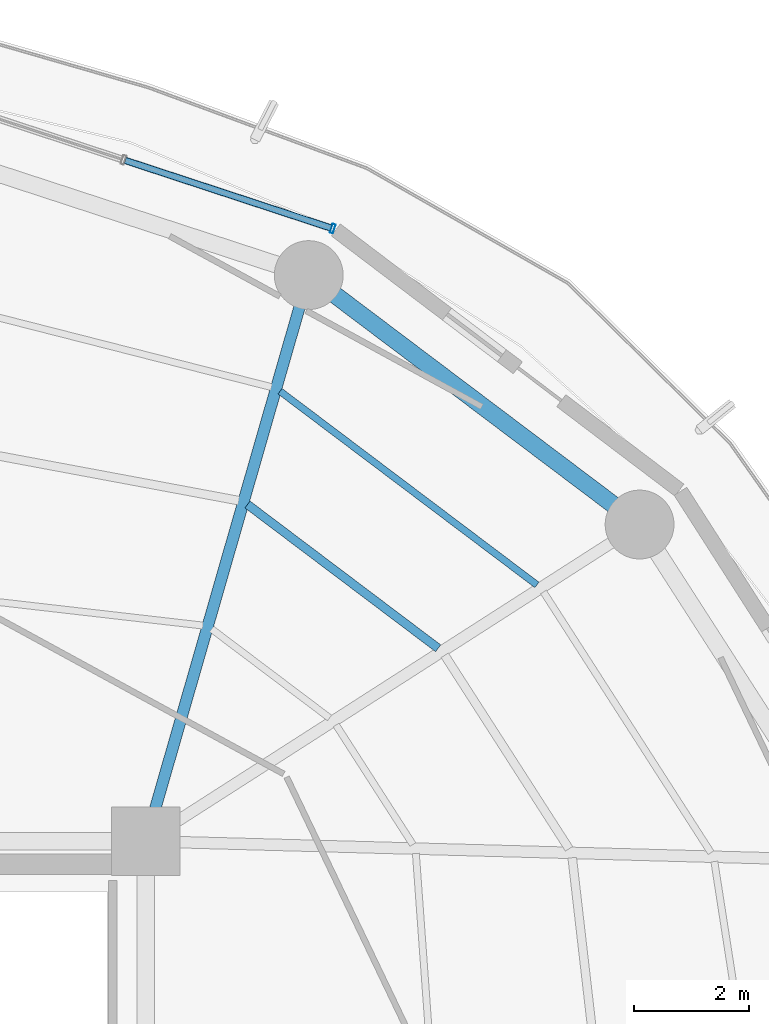
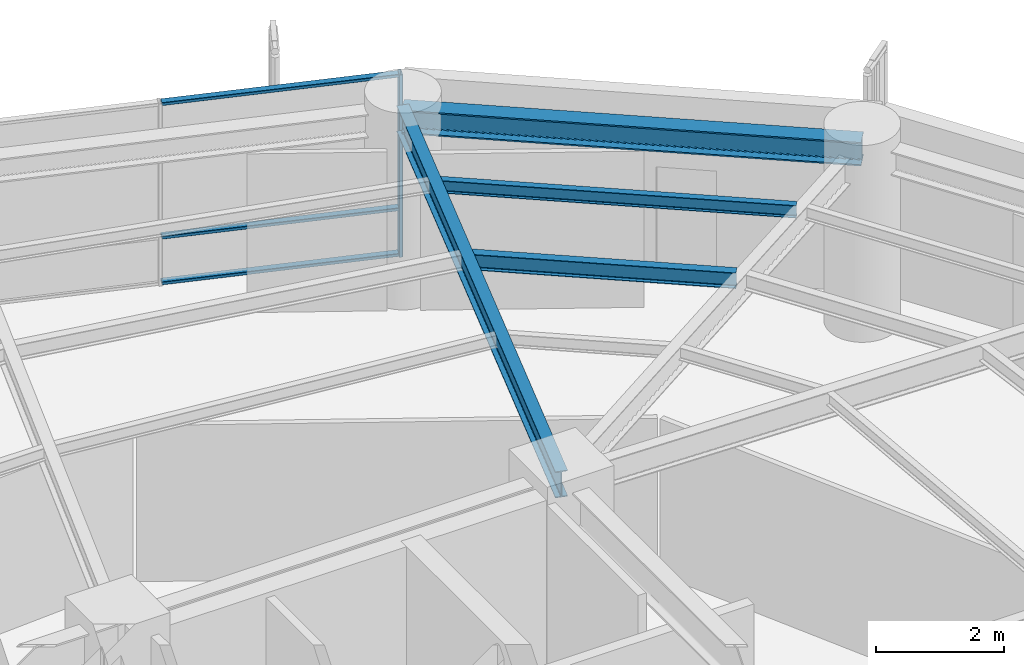
# One storey, part 19 of 27: 4 beams, 4 members, 1 element without a shape of its own.
"""IFC4 building model written with IfcOpenShell, lengths in metres."""

from ifc_helpers import new_model, si_unit, direction, frame, origin, origin_2d, place, context, subcontext, project, spatial, hollow_rectangle, i_section, extrude, material, layer, layer_set, material_profile, profile_set, type_object, element, aggregate, save


model = new_model("IFC4")

# Units and contexts
model_context = context("Model", 3, precision=1e-05, world=origin(), true_north=direction((0.0, 1.0)))
body_context = subcontext(model_context, "Body", "Model", "MODEL_VIEW")
ifc_project = project(units=[si_unit("LENGTHUNIT", "METRE"), si_unit("AREAUNIT", "SQUARE_METRE"), si_unit("VOLUMEUNIT", "CUBIC_METRE"), si_unit("PLANEANGLEUNIT", "RADIAN"), si_unit("MASSUNIT", "GRAM", prefix="KILO")], contexts=[model_context])

# Site, building, storey
site_placement = place(None, origin())
site = spatial("IfcSite", under=ifc_project, at=site_placement, CompositionType="ELEMENT")
building_placement = place(site_placement, origin())
building = spatial("IfcBuilding", under=site, at=building_placement, Name="Kelanora Arch Commons", CompositionType="ELEMENT")
storey_placement = place(building_placement, frame((0.0, 0.0, 143.10009765625)))
storey = spatial("IfcBuildingStorey", under=building, at=storey_placement, Name="L36", CompositionType="ELEMENT", Elevation=143.10009765625)

# Beams
ifc_material_1 = material(Name="Steel S355", Category="steel")
ifc_material_profile_1 = material_profile(ifc_material_1, i_section(OverallWidth=0.14990234375, OverallDepth=0.300048828125, WebThickness=0.007080078125, FlangeThickness=0.0107421875, FilletRadius=0.014892578125, at=origin_2d()), Name="IPE300")
ifc_profile_set_1 = profile_set([ifc_material_profile_1], Name="Steel S355")
beam_type_1 = type_object("IfcBeamType", Name="BM-JST-01", PredefinedType="JOIST", material=ifc_profile_set_1)
beam_1_placement = place(storey_placement, frame((87.0966796875, 68.364013671875, 3.33984375), z_axis=(-0.798463547891, 0.602043156833, 0.0), x_axis=(-0.602043156833, -0.798463547891, 0.0)))
element("IfcBeam", 1, at=beam_1_placement, inside=storey, type_object=beam_type_1, Name="Secondary Chord Joist BJB-04 L36", PredefinedType="JOIST", context=body_context, shape_type="SweptSolid", body=[
    extrude(i_section(OverallWidth=0.14990234375, OverallDepth=0.300048828125, WebThickness=0.007080078125, FlangeThickness=0.0107421875, FilletRadius=0.014892578125, at=origin_2d()), origin(), (0.0, 0.0, 1.0), 4.163818359375),
])
ifc_material_profile_2 = material_profile(ifc_material_1, i_section(OverallWidth=0.1201171875, OverallDepth=0.239990234375, WebThickness=0.006103515625, FlangeThickness=0.009765625, FilletRadius=0.014892578125, at=origin_2d()), Name="IPE240")
ifc_profile_set_2 = profile_set([ifc_material_profile_2], Name="Steel S355")
beam_type_2 = type_object("IfcBeamType", Name="BM-JST-02", PredefinedType="JOIST", material=ifc_profile_set_2)
beam_2_placement = place(storey_placement, frame((88.818359375, 69.468505859375, 3.369873046875), z_axis=(-0.798493128577, 0.602003923256, 0.0), x_axis=(-0.602003923256, -0.798493128577, 0.0)))
element("IfcBeam", 2, at=beam_2_placement, inside=storey, type_object=beam_type_2, Name="Secondary Chord Joist BJC-04 L36", PredefinedType="JOIST", context=body_context, shape_type="SweptSolid", body=[
    extrude(i_section(OverallWidth=0.1201171875, OverallDepth=0.239990234375, WebThickness=0.006103515625, FlangeThickness=0.009765625, FilletRadius=0.014892578125, at=origin_2d()), origin(), (0.0, 0.0, 1.0), 5.608642578125),
])
ifc_material_profile_3 = material_profile(ifc_material_1, i_section(OverallWidth=0.199951171875, OverallDepth=0.5, WebThickness=0.01025390625, FlangeThickness=0.01611328125, FilletRadius=0.02099609375, at=origin_2d()), Name="IPE500")
ifc_profile_set_3 = profile_set([ifc_material_profile_3], Name="Steel S355")
beam_type_3 = type_object("IfcBeamType", Name="BM-RAD-Z3", PredefinedType="BEAM", material=ifc_profile_set_3)
beam_3_placement = place(storey_placement, frame((82.0, 65.0, 3.239990234375), z_axis=(0.276525880065, 0.961006471182, 0.0), x_axis=(-0.961006471182, 0.276525880065, 0.0)))
element("IfcBeam", 3, at=beam_3_placement, inside=storey, type_object=beam_type_3, Name="Radial Floor Girder BR-06 L36", PredefinedType="BEAM", context=body_context, shape_type="SweptSolid", body=[
    extrude(i_section(OverallWidth=0.199951171875, OverallDepth=0.5, WebThickness=0.01025390625, FlangeThickness=0.01611328125, FilletRadius=0.02099609375, at=origin_2d()), origin(), (0.0, 0.0, 1.0), 10.2705078125),
])
ifc_material_profile_4 = material_profile(ifc_material_1, i_section(OverallWidth=0.300048828125, OverallDepth=0.449951171875, WebThickness=0.013916015625, FlangeThickness=0.02587890625, FilletRadius=0.027099609375, at=origin_2d()), Name="HEB450")
ifc_profile_set_4 = profile_set([ifc_material_profile_4], Name="Steel S355")
beam_type_4 = type_object("IfcBeamType", Name="BM-SPN-Z3", PredefinedType="SPANDREL", material=ifc_profile_set_4)
beam_4_placement = place(storey_placement, frame((90.60791015625, 70.521484375, 3.264892578125), z_axis=(-0.798484645564, 0.60201517489, 0.0), x_axis=(-0.60201517489, -0.798484645564, 0.0)))
element("IfcBeam", 4, at=beam_4_placement, inside=storey, type_object=beam_type_4, Name="Perimeter Spandrel Beam BS-04 L36", PredefinedType="SPANDREL", context=body_context, shape_type="SweptSolid", body=[
    extrude(i_section(OverallWidth=0.300048828125, OverallDepth=0.449951171875, WebThickness=0.013916015625, FlangeThickness=0.02587890625, FilletRadius=0.027099609375, at=origin_2d()), origin(), (0.0, 0.0, 1.0), 7.223388671875),
])

# Curtain wall, members
ifc_material_2 = material(Name="Terracotta ceramic-fritted low-E glass and aluminium", Category="masonry")
ifc_layer = layer(ifc_material_2, 0.175048828125)
ifc_layer_set = layer_set([ifc_layer], Name="Terracotta ceramic-fritted low-E glass and aluminium")
curtain_wall_type = type_object("IfcCurtainWallType", Name="CW-SYS-02", PredefinedType="NOTDEFINED", material=ifc_layer_set)
curtain_wall_placement = place(storey_placement, origin())
curtain_wall = element("IfcCurtainWall", 5, at=curtain_wall_placement, inside=storey, type_object=curtain_wall_type, Name="Unitised Curtain Wall L36-B03", PredefinedType="NOTDEFINED")
ifc_material_3 = material(Name="Powder-coated aluminium terracotta", Category="masonry")
ifc_material_profile_5 = material_profile(ifc_material_3, hollow_rectangle(XDim=0.159912109375, YDim=0.06005859375, WallThickness=0.0048828125, InnerFilletRadius=0.0048828125, OuterFilletRadius=0.010009765625, at=origin_2d()), Name="CWM160x60")
ifc_profile_set_5 = profile_set([ifc_material_profile_5], Name="Powder-coated aluminium terracotta")
member_type_1 = type_object("IfcMemberType", Name="CWM-STD", PredefinedType="MULLION", material=ifc_profile_set_5)
member_1_placement = place(storey_placement, frame((85.257080078125, 75.680908203125, 0.0), z_axis=(0.0, 0.0, 1.0), x_axis=(-0.312128279571, -0.95003996605, 0.0)))
member_1 = element("IfcMember", 6, at=member_1_placement, type_object=member_type_1, Name="CW-02 mullion 1", PredefinedType="MULLION", context=body_context, shape_type="SweptSolid", body=[
    extrude(hollow_rectangle(XDim=0.159912109375, YDim=0.06005859375, WallThickness=0.0048828125, InnerFilletRadius=0.0048828125, OuterFilletRadius=0.010009765625, at=origin_2d()), origin(), (0.0, 0.0, 1.0), 3.474853515625),
])
ifc_material_profile_6 = material_profile(ifc_material_3, hollow_rectangle(XDim=0.1201171875, YDim=0.06005859375, WallThickness=0.0048828125, InnerFilletRadius=0.0048828125, OuterFilletRadius=0.010009765625, at=origin_2d()), Name="CWT120x60")
ifc_profile_set_6 = profile_set([ifc_material_profile_6], Name="Powder-coated aluminium terracotta")
member_type_2 = type_object("IfcMemberType", Name="CWT-STD", PredefinedType="USERDEFINED", material=ifc_profile_set_6)
member_2_placement = place(storey_placement, frame((85.228759765625, 75.6904296875, 0.02978515625), z_axis=(-0.950051191155, 0.312094111104, 0.0), x_axis=(-0.312094111104, -0.950051191155, 0.0)))
member_2 = element("IfcMember", 7, at=member_2_placement, type_object=member_type_2, Name="CW-02 transom 1.1", ObjectType="TRANSOM", PredefinedType="USERDEFINED", context=body_context, shape_type="SweptSolid", body=[
    extrude(hollow_rectangle(XDim=0.1201171875, YDim=0.06005859375, WallThickness=0.0048828125, InnerFilletRadius=0.0048828125, OuterFilletRadius=0.010009765625, at=origin_2d()), origin(), (0.0, 0.0, 1.0), 3.77685546875),
])
member_3_placement = place(storey_placement, frame((85.228759765625, 75.6904296875, 0.89990234375), z_axis=(-0.950051191155, 0.312094111104, 0.0), x_axis=(-0.312094111104, -0.950051191155, 0.0)))
member_3 = element("IfcMember", 8, at=member_3_placement, type_object=member_type_2, Name="CW-02 transom 1.2", ObjectType="TRANSOM", PredefinedType="USERDEFINED", context=body_context, shape_type="SweptSolid", body=[
    extrude(hollow_rectangle(XDim=0.1201171875, YDim=0.06005859375, WallThickness=0.0048828125, InnerFilletRadius=0.0048828125, OuterFilletRadius=0.010009765625, at=origin_2d()), origin(), (0.0, 0.0, 1.0), 3.77685546875),
])
member_4_placement = place(storey_placement, frame((85.228759765625, 75.6904296875, 3.44482421875), z_axis=(-0.950051191155, 0.312094111104, 0.0), x_axis=(-0.312094111104, -0.950051191155, 0.0)))
member_4 = element("IfcMember", 9, at=member_4_placement, type_object=member_type_2, Name="CW-02 transom 1.3", ObjectType="TRANSOM", PredefinedType="USERDEFINED", context=body_context, shape_type="SweptSolid", body=[
    extrude(hollow_rectangle(XDim=0.1201171875, YDim=0.06005859375, WallThickness=0.0048828125, InnerFilletRadius=0.0048828125, OuterFilletRadius=0.010009765625, at=origin_2d()), origin(), (0.0, 0.0, 1.0), 3.77685546875),
])
aggregate(curtain_wall, [member_1, member_2, member_3, member_4])

save(model, "model.ifc")
